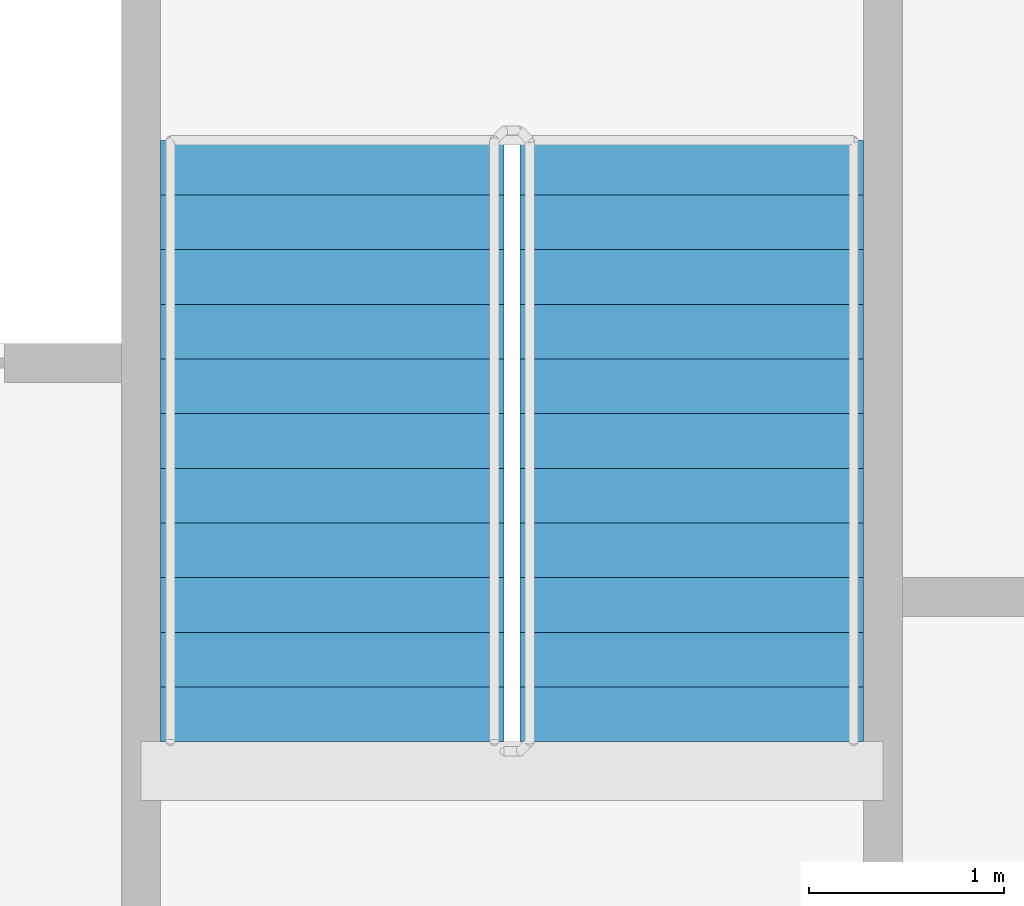
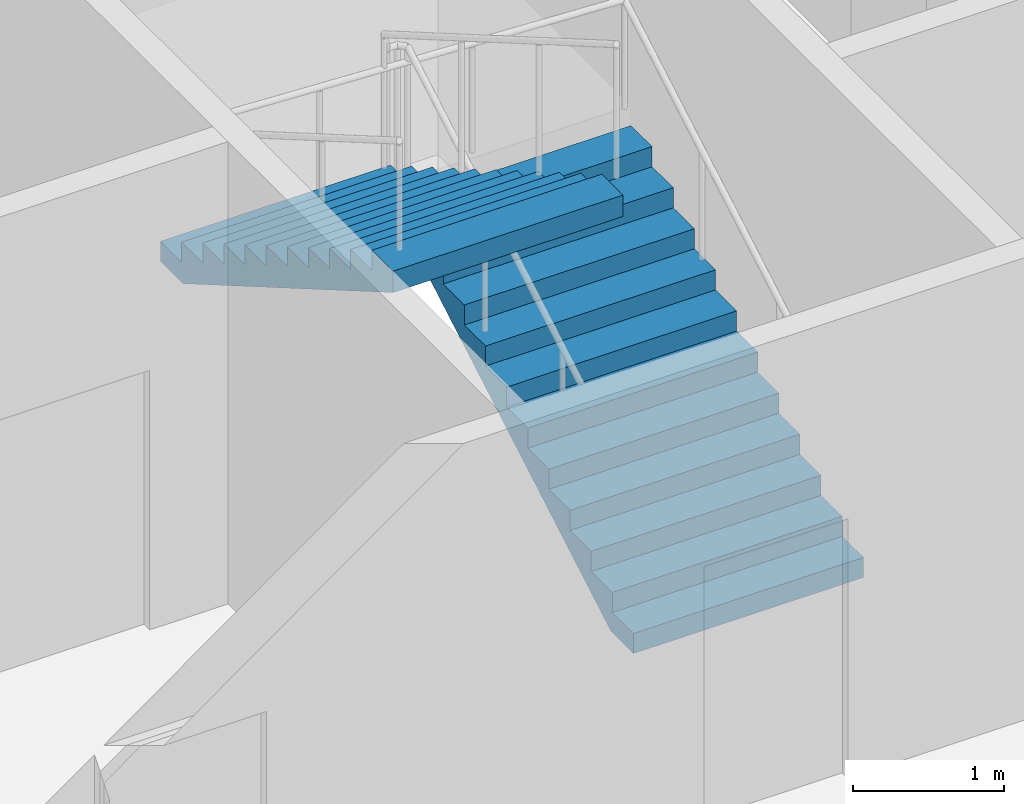
# One storey, part 18 of 24: 2 stair flights, 1 element without a shape of its own.
"""IFC4 building model written with IfcOpenShell, lengths in metres."""

from ifc_helpers import new_model, si_unit, direction, frame, origin, place, context, subcontext, project, spatial, faceted_brep, material, type_object, element, aggregate, save


model = new_model("IFC4")

# Units and contexts
model_context = context("Model", 3, precision=1e-05, world=origin(), true_north=direction((0.0, 1.0)))
body_context = subcontext(model_context, "Body", "Model", "MODEL_VIEW")
ifc_project = project(units=[si_unit("LENGTHUNIT", "METRE"), si_unit("AREAUNIT", "SQUARE_METRE"), si_unit("VOLUMEUNIT", "CUBIC_METRE"), si_unit("PLANEANGLEUNIT", "RADIAN"), si_unit("MASSUNIT", "GRAM", prefix="KILO")], contexts=[model_context])

# Site, building, storey
site_placement = place(None, origin())
site = spatial("IfcSite", under=ifc_project, at=site_placement, CompositionType="ELEMENT")
building_placement = place(site_placement, origin())
building = spatial("IfcBuilding", under=site, at=building_placement, Name="Tarsis Ring Headquarters", CompositionType="ELEMENT")
storey_placement = place(building_placement, frame((0.0, 0.0, 92.800048828125)))
storey = spatial("IfcBuildingStorey", under=building, at=storey_placement, Name="L20", CompositionType="ELEMENT", Elevation=92.800048828125)

# Stair, stair flights
ifc_material_1 = material(Name="Core stair 1760")
stair_type = type_object("IfcStairType", Name="Core stair 1760", PredefinedType="HALF_TURN_STAIR", material=ifc_material_1)
stair_placement = place(storey_placement, origin())
stair = element("IfcStair", 1, at=stair_placement, inside=storey, type_object=stair_type, Name="L20 Exit stair B", PredefinedType="HALF_TURN_STAIR")
ifc_material_2 = material(Name="Concrete C40/50", Category="concrete")
stair_flight_type = type_object("IfcStairFlightType", Name="Core stair flight 1760", PredefinedType="STRAIGHT", material=ifc_material_2)
stair_flight_1_placement = place(storey_placement, frame((5.419921875, 3.659912109375, 0.0), z_axis=(0.0, 0.0, 1.0), x_axis=(0.0, 1.0, 0.0)))
stair_flight_1 = element("IfcStairFlight", 2, at=stair_flight_1_placement, type_object=stair_flight_type, Name="Stair ST2 flight 1", NumberOfRisers=12, NumberOfTreads=11, PredefinedType="STRAIGHT", RiserHeight=0.1625, TreadLength=0.28, context=body_context, shape_type="Brep", body=[
    faceted_brep([(0.0, 0.8798828125, 0.0), (0.0, 0.8798828125, 0.16259765625), (0.280029296875, 0.8798828125, 0.16259765625), (0.280029296875, 0.8798828125, 0.324951171875), (0.56005859375, 0.8798828125, 0.324951171875), (0.56005859375, 0.8798828125, 0.487548828125), (0.840087890625, 0.8798828125, 0.487548828125), (0.840087890625, 0.8798828125, 0.64990234375), (1.1201171875, 0.8798828125, 0.64990234375), (1.1201171875, 0.8798828125, 0.8125), (1.39990234375, 0.8798828125, 0.8125), (1.39990234375, 0.8798828125, 0.97509765625), (1.679931640625, 0.8798828125, 0.97509765625), (1.679931640625, 0.8798828125, 1.137451171875), (1.9599609375, 0.8798828125, 1.137451171875), (1.9599609375, 0.8798828125, 1.300048828125), (2.239990234375, 0.8798828125, 1.300048828125), (2.239990234375, 0.8798828125, 1.46240234375), (2.52001953125, 0.8798828125, 1.46240234375), (2.52001953125, 0.8798828125, 1.625), (2.800048828125, 0.8798828125, 1.625), (2.800048828125, 0.8798828125, 1.78759765625), (3.080078125, 0.8798828125, 1.78759765625), (3.080078125, 0.8798828125, 1.6142578125), (0.298583984375, 0.8798828125, 0.0), (0.298583984375, -0.8798828125, 0.0), (3.080078125, -0.8798828125, 1.6142578125), (3.080078125, -0.8798828125, 1.78759765625), (2.800048828125, -0.8798828125, 1.78759765625), (2.800048828125, -0.8798828125, 1.625), (2.52001953125, -0.8798828125, 1.625), (2.52001953125, -0.8798828125, 1.46240234375), (2.239990234375, -0.8798828125, 1.46240234375), (2.239990234375, -0.8798828125, 1.300048828125), (1.9599609375, -0.8798828125, 1.300048828125), (1.9599609375, -0.8798828125, 1.137451171875), (1.679931640625, -0.8798828125, 1.137451171875), (1.679931640625, -0.8798828125, 0.97509765625), (1.39990234375, -0.8798828125, 0.97509765625), (1.39990234375, -0.8798828125, 0.8125), (1.1201171875, -0.8798828125, 0.8125), (1.1201171875, -0.8798828125, 0.64990234375), (0.840087890625, -0.8798828125, 0.64990234375), (0.840087890625, -0.8798828125, 0.487548828125), (0.56005859375, -0.8798828125, 0.487548828125), (0.56005859375, -0.8798828125, 0.324951171875), (0.280029296875, -0.8798828125, 0.324951171875), (0.280029296875, -0.8798828125, 0.16259765625), (0.0, -0.8798828125, 0.16259765625), (0.0, -0.8798828125, 0.0), (0.0, -0.43994140625, 0.16259765625), (0.0, -0.43994140625, 0.0), (0.0, 0.0, 0.16259765625), (0.0, 0.0, 0.0), (0.0, 0.43994140625, 0.16259765625), (0.0, 0.43994140625, 0.0), (0.280029296875, -0.43994140625, 0.16259765625), (0.280029296875, 0.0, 0.16259765625), (0.280029296875, 0.43994140625, 0.16259765625), (0.280029296875, -0.43994140625, 0.324951171875), (0.280029296875, 0.0, 0.324951171875), (0.280029296875, 0.43994140625, 0.324951171875), (0.56005859375, -0.43994140625, 0.324951171875), (0.56005859375, 0.0, 0.324951171875), (0.56005859375, 0.43994140625, 0.324951171875), (0.56005859375, -0.43994140625, 0.487548828125), (0.56005859375, 0.0, 0.487548828125), (0.56005859375, 0.43994140625, 0.487548828125), (0.840087890625, -0.43994140625, 0.487548828125), (0.840087890625, 0.0, 0.487548828125), (0.840087890625, 0.43994140625, 0.487548828125), (0.840087890625, -0.43994140625, 0.64990234375), (0.840087890625, 0.0, 0.64990234375), (0.840087890625, 0.43994140625, 0.64990234375), (1.1201171875, -0.43994140625, 0.64990234375), (1.1201171875, 0.0, 0.64990234375), (1.1201171875, 0.43994140625, 0.64990234375), (1.1201171875, -0.43994140625, 0.8125), (1.1201171875, 0.0, 0.8125), (1.1201171875, 0.43994140625, 0.8125), (1.39990234375, -0.43994140625, 0.8125), (1.39990234375, 0.0, 0.8125), (1.39990234375, 0.43994140625, 0.8125), (1.39990234375, -0.43994140625, 0.97509765625), (1.39990234375, 0.0, 0.97509765625), (1.39990234375, 0.43994140625, 0.97509765625), (1.679931640625, -0.43994140625, 0.97509765625), (1.679931640625, 0.0, 0.97509765625), (1.679931640625, 0.43994140625, 0.97509765625), (1.679931640625, -0.43994140625, 1.137451171875), (1.679931640625, 0.0, 1.137451171875), (1.679931640625, 0.43994140625, 1.137451171875), (1.9599609375, -0.43994140625, 1.137451171875), (1.9599609375, 0.0, 1.137451171875), (1.9599609375, 0.43994140625, 1.137451171875), (1.9599609375, -0.43994140625, 1.300048828125), (1.9599609375, 0.0, 1.300048828125), (1.9599609375, 0.43994140625, 1.300048828125), (2.239990234375, -0.43994140625, 1.300048828125), (2.239990234375, 0.0, 1.300048828125), (2.239990234375, 0.43994140625, 1.300048828125), (2.239990234375, -0.43994140625, 1.46240234375), (2.239990234375, 0.0, 1.46240234375), (2.239990234375, 0.43994140625, 1.46240234375), (2.52001953125, -0.43994140625, 1.46240234375), (2.52001953125, 0.0, 1.46240234375), (2.52001953125, 0.43994140625, 1.46240234375), (2.52001953125, -0.43994140625, 1.625), (2.52001953125, 0.0, 1.625), (2.52001953125, 0.43994140625, 1.625), (2.800048828125, -0.43994140625, 1.625), (2.800048828125, 0.0, 1.625), (2.800048828125, 0.43994140625, 1.625), (2.800048828125, -0.43994140625, 1.78759765625), (2.800048828125, 0.0, 1.78759765625), (2.800048828125, 0.43994140625, 1.78759765625), (3.080078125, -0.43994140625, 1.78759765625), (3.080078125, 0.0, 1.78759765625), (3.080078125, 0.43994140625, 1.78759765625), (3.080078125, -0.43994140625, 1.6142578125), (3.080078125, 0.0, 1.6142578125), (3.080078125, 0.43994140625, 1.6142578125), (0.298583984375, -0.43994140625, 0.0), (0.298583984375, 0.0, 0.0), (0.298583984375, 0.43994140625, 0.0)], [[[0, 1, 2, 3, 4, 5, 6, 7, 8, 9, 10, 11, 12, 13, 14, 15, 16, 17, 18, 19, 20, 21, 22, 23, 24]], [[25, 26, 27, 28, 29, 30, 31, 32, 33, 34, 35, 36, 37, 38, 39, 40, 41, 42, 43, 44, 45, 46, 47, 48, 49]], [[49, 48, 50, 51]], [[51, 50, 52, 53]], [[53, 52, 54, 55]], [[55, 54, 1, 0]], [[48, 47, 56, 50]], [[50, 56, 57, 52]], [[52, 57, 58, 54]], [[54, 58, 2, 1]], [[47, 46, 59, 56]], [[56, 59, 60, 57]], [[57, 60, 61, 58]], [[58, 61, 3, 2]], [[46, 45, 62, 59]], [[59, 62, 63, 60]], [[60, 63, 64, 61]], [[61, 64, 4, 3]], [[45, 44, 65, 62]], [[62, 65, 66, 63]], [[63, 66, 67, 64]], [[64, 67, 5, 4]], [[44, 43, 68, 65]], [[65, 68, 69, 66]], [[66, 69, 70, 67]], [[67, 70, 6, 5]], [[43, 42, 71, 68]], [[68, 71, 72, 69]], [[69, 72, 73, 70]], [[70, 73, 7, 6]], [[42, 41, 74, 71]], [[71, 74, 75, 72]], [[72, 75, 76, 73]], [[73, 76, 8, 7]], [[41, 40, 77, 74]], [[74, 77, 78, 75]], [[75, 78, 79, 76]], [[76, 79, 9, 8]], [[40, 39, 80, 77]], [[77, 80, 81, 78]], [[78, 81, 82, 79]], [[79, 82, 10, 9]], [[39, 38, 83, 80]], [[80, 83, 84, 81]], [[81, 84, 85, 82]], [[82, 85, 11, 10]], [[38, 37, 86, 83]], [[83, 86, 87, 84]], [[84, 87, 88, 85]], [[85, 88, 12, 11]], [[37, 36, 89, 86]], [[86, 89, 90, 87]], [[87, 90, 91, 88]], [[88, 91, 13, 12]], [[36, 35, 92, 89]], [[89, 92, 93, 90]], [[90, 93, 94, 91]], [[91, 94, 14, 13]], [[35, 34, 95, 92]], [[92, 95, 96, 93]], [[93, 96, 97, 94]], [[94, 97, 15, 14]], [[34, 33, 98, 95]], [[95, 98, 99, 96]], [[96, 99, 100, 97]], [[97, 100, 16, 15]], [[33, 32, 101, 98]], [[98, 101, 102, 99]], [[99, 102, 103, 100]], [[100, 103, 17, 16]], [[32, 31, 104, 101]], [[101, 104, 105, 102]], [[102, 105, 106, 103]], [[103, 106, 18, 17]], [[31, 30, 107, 104]], [[104, 107, 108, 105]], [[105, 108, 109, 106]], [[106, 109, 19, 18]], [[30, 29, 110, 107]], [[107, 110, 111, 108]], [[108, 111, 112, 109]], [[109, 112, 20, 19]], [[29, 28, 113, 110]], [[110, 113, 114, 111]], [[111, 114, 115, 112]], [[112, 115, 21, 20]], [[28, 27, 116, 113]], [[113, 116, 117, 114]], [[114, 117, 118, 115]], [[115, 118, 22, 21]], [[27, 26, 119, 116]], [[116, 119, 120, 117]], [[117, 120, 121, 118]], [[118, 121, 23, 22]], [[26, 25, 122, 119]], [[119, 122, 123, 120]], [[120, 123, 124, 121]], [[121, 124, 24, 23]], [[25, 49, 51, 122]], [[122, 51, 53, 123]], [[123, 53, 55, 124]], [[124, 55, 0, 24]]]),
])
stair_flight_2_placement = place(storey_placement, frame((3.580078125, 6.739990234375, 1.949951171875), z_axis=(0.0, 0.0, 1.0), x_axis=(0.0, -1.0, 0.0)))
stair_flight_2 = element("IfcStairFlight", 3, at=stair_flight_2_placement, type_object=stair_flight_type, Name="Stair ST2 flight 2", NumberOfRisers=12, NumberOfTreads=11, PredefinedType="STRAIGHT", RiserHeight=0.1625, TreadLength=0.28, context=body_context, shape_type="Brep", body=[
    faceted_brep([(0.0, 0.8798828125, 0.0), (0.0, 0.8798828125, 0.16259765625), (0.280029296875, 0.8798828125, 0.16259765625), (0.280029296875, 0.8798828125, 0.324951171875), (0.56005859375, 0.8798828125, 0.324951171875), (0.56005859375, 0.8798828125, 0.487548828125), (0.840087890625, 0.8798828125, 0.487548828125), (0.840087890625, 0.8798828125, 0.64990234375), (1.1201171875, 0.8798828125, 0.64990234375), (1.1201171875, 0.8798828125, 0.8125), (1.39990234375, 0.8798828125, 0.8125), (1.39990234375, 0.8798828125, 0.97509765625), (1.679931640625, 0.8798828125, 0.97509765625), (1.679931640625, 0.8798828125, 1.137451171875), (1.9599609375, 0.8798828125, 1.137451171875), (1.9599609375, 0.8798828125, 1.300048828125), (2.239990234375, 0.8798828125, 1.300048828125), (2.239990234375, 0.8798828125, 1.46240234375), (2.52001953125, 0.8798828125, 1.46240234375), (2.52001953125, 0.8798828125, 1.625), (2.800048828125, 0.8798828125, 1.625), (2.800048828125, 0.8798828125, 1.78759765625), (3.080078125, 0.8798828125, 1.78759765625), (3.080078125, 0.8798828125, 1.6142578125), (0.298583984375, 0.8798828125, 0.0), (0.298583984375, -0.8798828125, 0.0), (3.080078125, -0.8798828125, 1.6142578125), (3.080078125, -0.8798828125, 1.78759765625), (2.800048828125, -0.8798828125, 1.78759765625), (2.800048828125, -0.8798828125, 1.625), (2.52001953125, -0.8798828125, 1.625), (2.52001953125, -0.8798828125, 1.46240234375), (2.239990234375, -0.8798828125, 1.46240234375), (2.239990234375, -0.8798828125, 1.300048828125), (1.9599609375, -0.8798828125, 1.300048828125), (1.9599609375, -0.8798828125, 1.137451171875), (1.679931640625, -0.8798828125, 1.137451171875), (1.679931640625, -0.8798828125, 0.97509765625), (1.39990234375, -0.8798828125, 0.97509765625), (1.39990234375, -0.8798828125, 0.8125), (1.1201171875, -0.8798828125, 0.8125), (1.1201171875, -0.8798828125, 0.64990234375), (0.840087890625, -0.8798828125, 0.64990234375), (0.840087890625, -0.8798828125, 0.487548828125), (0.56005859375, -0.8798828125, 0.487548828125), (0.56005859375, -0.8798828125, 0.324951171875), (0.280029296875, -0.8798828125, 0.324951171875), (0.280029296875, -0.8798828125, 0.16259765625), (0.0, -0.8798828125, 0.16259765625), (0.0, -0.8798828125, 0.0), (0.0, -0.43994140625, 0.16259765625), (0.0, -0.43994140625, 0.0), (0.0, 0.0, 0.16259765625), (0.0, 0.0, 0.0), (0.0, 0.43994140625, 0.16259765625), (0.0, 0.43994140625, 0.0), (0.280029296875, -0.43994140625, 0.16259765625), (0.280029296875, 0.0, 0.16259765625), (0.280029296875, 0.43994140625, 0.16259765625), (0.280029296875, -0.43994140625, 0.324951171875), (0.280029296875, 0.0, 0.324951171875), (0.280029296875, 0.43994140625, 0.324951171875), (0.56005859375, -0.43994140625, 0.324951171875), (0.56005859375, 0.0, 0.324951171875), (0.56005859375, 0.43994140625, 0.324951171875), (0.56005859375, -0.43994140625, 0.487548828125), (0.56005859375, 0.0, 0.487548828125), (0.56005859375, 0.43994140625, 0.487548828125), (0.840087890625, -0.43994140625, 0.487548828125), (0.840087890625, 0.0, 0.487548828125), (0.840087890625, 0.43994140625, 0.487548828125), (0.840087890625, -0.43994140625, 0.64990234375), (0.840087890625, 0.0, 0.64990234375), (0.840087890625, 0.43994140625, 0.64990234375), (1.1201171875, -0.43994140625, 0.64990234375), (1.1201171875, 0.0, 0.64990234375), (1.1201171875, 0.43994140625, 0.64990234375), (1.1201171875, -0.43994140625, 0.8125), (1.1201171875, 0.0, 0.8125), (1.1201171875, 0.43994140625, 0.8125), (1.39990234375, -0.43994140625, 0.8125), (1.39990234375, 0.0, 0.8125), (1.39990234375, 0.43994140625, 0.8125), (1.39990234375, -0.43994140625, 0.97509765625), (1.39990234375, 0.0, 0.97509765625), (1.39990234375, 0.43994140625, 0.97509765625), (1.679931640625, -0.43994140625, 0.97509765625), (1.679931640625, 0.0, 0.97509765625), (1.679931640625, 0.43994140625, 0.97509765625), (1.679931640625, -0.43994140625, 1.137451171875), (1.679931640625, 0.0, 1.137451171875), (1.679931640625, 0.43994140625, 1.137451171875), (1.9599609375, -0.43994140625, 1.137451171875), (1.9599609375, 0.0, 1.137451171875), (1.9599609375, 0.43994140625, 1.137451171875), (1.9599609375, -0.43994140625, 1.300048828125), (1.9599609375, 0.0, 1.300048828125), (1.9599609375, 0.43994140625, 1.300048828125), (2.239990234375, -0.43994140625, 1.300048828125), (2.239990234375, 0.0, 1.300048828125), (2.239990234375, 0.43994140625, 1.300048828125), (2.239990234375, -0.43994140625, 1.46240234375), (2.239990234375, 0.0, 1.46240234375), (2.239990234375, 0.43994140625, 1.46240234375), (2.52001953125, -0.43994140625, 1.46240234375), (2.52001953125, 0.0, 1.46240234375), (2.52001953125, 0.43994140625, 1.46240234375), (2.52001953125, -0.43994140625, 1.625), (2.52001953125, 0.0, 1.625), (2.52001953125, 0.43994140625, 1.625), (2.800048828125, -0.43994140625, 1.625), (2.800048828125, 0.0, 1.625), (2.800048828125, 0.43994140625, 1.625), (2.800048828125, -0.43994140625, 1.78759765625), (2.800048828125, 0.0, 1.78759765625), (2.800048828125, 0.43994140625, 1.78759765625), (3.080078125, -0.43994140625, 1.78759765625), (3.080078125, 0.0, 1.78759765625), (3.080078125, 0.43994140625, 1.78759765625), (3.080078125, -0.43994140625, 1.6142578125), (3.080078125, 0.0, 1.6142578125), (3.080078125, 0.43994140625, 1.6142578125), (0.298583984375, -0.43994140625, 0.0), (0.298583984375, 0.0, 0.0), (0.298583984375, 0.43994140625, 0.0)], [[[0, 1, 2, 3, 4, 5, 6, 7, 8, 9, 10, 11, 12, 13, 14, 15, 16, 17, 18, 19, 20, 21, 22, 23, 24]], [[25, 26, 27, 28, 29, 30, 31, 32, 33, 34, 35, 36, 37, 38, 39, 40, 41, 42, 43, 44, 45, 46, 47, 48, 49]], [[49, 48, 50, 51]], [[51, 50, 52, 53]], [[53, 52, 54, 55]], [[55, 54, 1, 0]], [[48, 47, 56, 50]], [[50, 56, 57, 52]], [[52, 57, 58, 54]], [[54, 58, 2, 1]], [[47, 46, 59, 56]], [[56, 59, 60, 57]], [[57, 60, 61, 58]], [[58, 61, 3, 2]], [[46, 45, 62, 59]], [[59, 62, 63, 60]], [[60, 63, 64, 61]], [[61, 64, 4, 3]], [[45, 44, 65, 62]], [[62, 65, 66, 63]], [[63, 66, 67, 64]], [[64, 67, 5, 4]], [[44, 43, 68, 65]], [[65, 68, 69, 66]], [[66, 69, 70, 67]], [[67, 70, 6, 5]], [[43, 42, 71, 68]], [[68, 71, 72, 69]], [[69, 72, 73, 70]], [[70, 73, 7, 6]], [[42, 41, 74, 71]], [[71, 74, 75, 72]], [[72, 75, 76, 73]], [[73, 76, 8, 7]], [[41, 40, 77, 74]], [[74, 77, 78, 75]], [[75, 78, 79, 76]], [[76, 79, 9, 8]], [[40, 39, 80, 77]], [[77, 80, 81, 78]], [[78, 81, 82, 79]], [[79, 82, 10, 9]], [[39, 38, 83, 80]], [[80, 83, 84, 81]], [[81, 84, 85, 82]], [[82, 85, 11, 10]], [[38, 37, 86, 83]], [[83, 86, 87, 84]], [[84, 87, 88, 85]], [[85, 88, 12, 11]], [[37, 36, 89, 86]], [[86, 89, 90, 87]], [[87, 90, 91, 88]], [[88, 91, 13, 12]], [[36, 35, 92, 89]], [[89, 92, 93, 90]], [[90, 93, 94, 91]], [[91, 94, 14, 13]], [[35, 34, 95, 92]], [[92, 95, 96, 93]], [[93, 96, 97, 94]], [[94, 97, 15, 14]], [[34, 33, 98, 95]], [[95, 98, 99, 96]], [[96, 99, 100, 97]], [[97, 100, 16, 15]], [[33, 32, 101, 98]], [[98, 101, 102, 99]], [[99, 102, 103, 100]], [[100, 103, 17, 16]], [[32, 31, 104, 101]], [[101, 104, 105, 102]], [[102, 105, 106, 103]], [[103, 106, 18, 17]], [[31, 30, 107, 104]], [[104, 107, 108, 105]], [[105, 108, 109, 106]], [[106, 109, 19, 18]], [[30, 29, 110, 107]], [[107, 110, 111, 108]], [[108, 111, 112, 109]], [[109, 112, 20, 19]], [[29, 28, 113, 110]], [[110, 113, 114, 111]], [[111, 114, 115, 112]], [[112, 115, 21, 20]], [[28, 27, 116, 113]], [[113, 116, 117, 114]], [[114, 117, 118, 115]], [[115, 118, 22, 21]], [[27, 26, 119, 116]], [[116, 119, 120, 117]], [[117, 120, 121, 118]], [[118, 121, 23, 22]], [[26, 25, 122, 119]], [[119, 122, 123, 120]], [[120, 123, 124, 121]], [[121, 124, 24, 23]], [[25, 49, 51, 122]], [[122, 51, 53, 123]], [[123, 53, 55, 124]], [[124, 55, 0, 24]]]),
])
aggregate(stair, [stair_flight_1, stair_flight_2])

save(model, "model.ifc")
